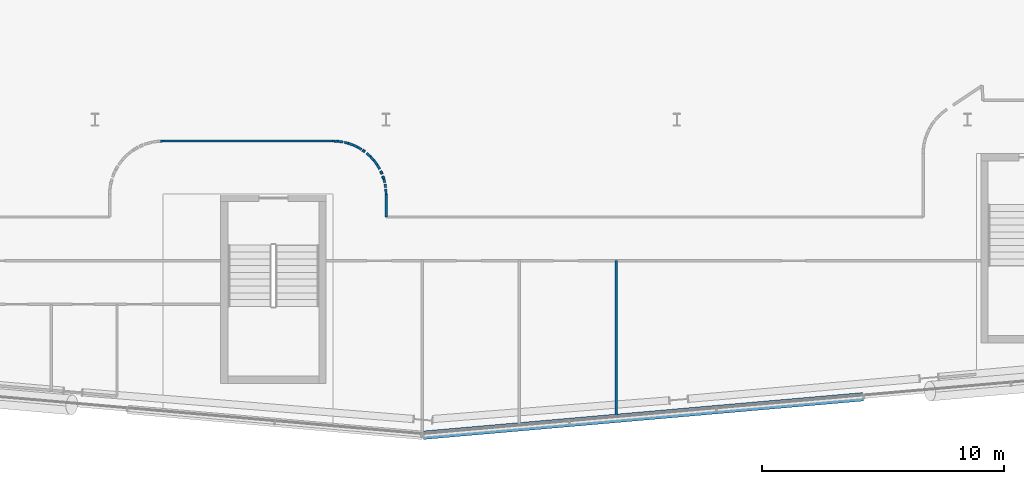
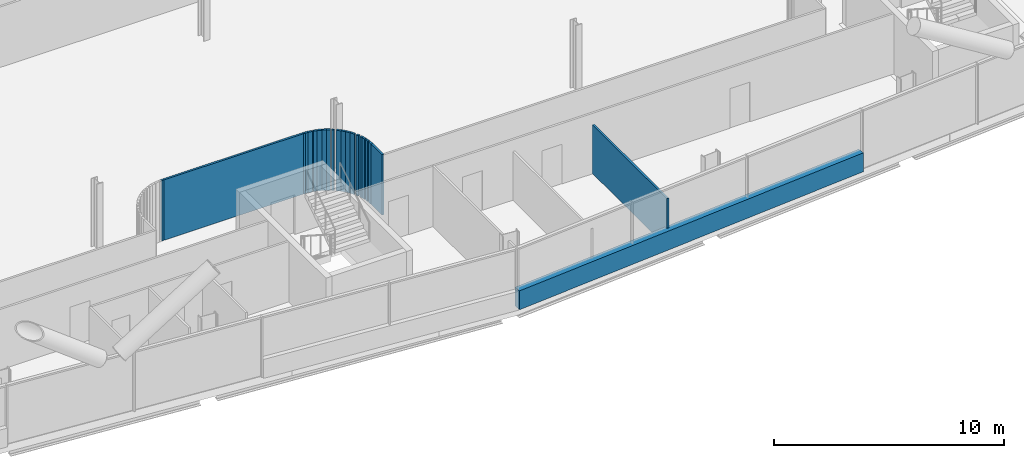
# One storey, part 16 of 31: 22 walls.
"""IFC4 building model written with IfcOpenShell, lengths in metres."""

from ifc_helpers import new_model, si_unit, direction, frame, frame_2d, origin, place, context, subcontext, project, spatial, rectangle, extrude, material, layer, layer_set, type_object, element, save


model = new_model("IFC4")

# Units and contexts
model_context = context("Model", 3, precision=1e-05, world=origin(), true_north=direction((0.0, 1.0)))
body_context = subcontext(model_context, "Body", "Model", "MODEL_VIEW")
ifc_project = project(units=[si_unit("LENGTHUNIT", "METRE"), si_unit("AREAUNIT", "SQUARE_METRE"), si_unit("VOLUMEUNIT", "CUBIC_METRE"), si_unit("PLANEANGLEUNIT", "RADIAN"), si_unit("MASSUNIT", "GRAM", prefix="KILO")], contexts=[model_context])

# Site, building, storey
site_placement = place(None, origin())
site = spatial("IfcSite", under=ifc_project, at=site_placement, CompositionType="ELEMENT")
building_placement = place(site_placement, origin())
building = spatial("IfcBuilding", under=site, at=building_placement, Name="Wharfspan Tower", CompositionType="ELEMENT")
storey_placement = place(building_placement, frame((0.0, 0.0, 103.899902)))
storey = spatial("IfcBuildingStorey", under=building, at=storey_placement, Name="L23", CompositionType="ELEMENT", Elevation=103.899902)

# Walls
ifc_material_1 = material(Name="Gypsum board on steel studs", Category="steel")
ifc_layer_1 = layer(ifc_material_1, 0.100098)
ifc_layer_set_1 = layer_set([ifc_layer_1], Name="Gypsum board on steel studs")
wall_type_1 = type_object("IfcWallType", Name="Compartment wall 100 EI 60", PredefinedType="PARTITIONING", material=ifc_layer_set_1)
wall_1_placement = place(storey_placement, frame((38.709961, 10.61499, 0.0), z_axis=(0.0, 0.0, 1.0), x_axis=(0.998687, 0.051152, 0.0)))
element("IfcWall", 1, at=wall_1_placement, inside=storey, type_object=wall_type_1, Name="Partition L23.w045", PredefinedType="PARTITIONING", context=body_context, shape_type="SweptSolid", body=[
    extrude(rectangle(XDim=0.100342, YDim=0.100098, at=frame_2d((0.050293, 0.0))), origin(), (0.0, 0.0, 1.0), 3.200195),
])
wall_2_placement = place(storey_placement, frame((38.810059, 10.620117, 0.0), z_axis=(0.0, 0.0, 1.0), x_axis=(1.0, 0.0, 0.0)))
element("IfcWall", 2, at=wall_2_placement, inside=storey, type_object=wall_type_1, Name="Partition L23.w046", PredefinedType="PARTITIONING", context=body_context, shape_type="SweptSolid", body=[
    extrude(rectangle(XDim=7.0, YDim=0.100098, at=frame_2d((3.5, 0.0))), origin(), (0.0, 0.0, 1.0), 3.200195),
])
wall_3_placement = place(storey_placement, frame((45.909912, 10.61499, 0.0), z_axis=(0.0, 0.0, 1.0), x_axis=(-0.998681, 0.051277, 0.0)))
element("IfcWall", 3, at=wall_3_placement, inside=storey, type_object=wall_type_1, Name="Partition L23.w049", PredefinedType="PARTITIONING", context=body_context, shape_type="SweptSolid", body=[
    extrude(rectangle(XDim=0.100098, YDim=0.100098, at=frame_2d((0.050049, 0.0))), origin(), (0.0, 0.0, 1.0), 3.200195),
])
wall_4_placement = place(storey_placement, frame((46.024902, 10.60498, 0.0), z_axis=(0.0, 0.0, 1.0), x_axis=(-0.996234, 0.086721, 0.0)))
element("IfcWall", 4, at=wall_4_placement, inside=storey, type_object=wall_type_1, Name="Partition L23.w050", PredefinedType="PARTITIONING", context=body_context, shape_type="SweptSolid", body=[
    extrude(rectangle(XDim=0.115479, YDim=0.100098, at=frame_2d((0.057617, 0.0))), origin(), (0.0, 0.0, 1.0), 3.200195),
])
wall_5_placement = place(storey_placement, frame((46.23999, 10.574951, 0.0), z_axis=(0.0, 0.0, 1.0), x_axis=(-0.990394, 0.138273, 0.0)))
element("IfcWall", 5, at=wall_5_placement, inside=storey, type_object=wall_type_1, Name="Partition L23.w051", PredefinedType="PARTITIONING", context=body_context, shape_type="SweptSolid", body=[
    extrude(rectangle(XDim=0.217285, YDim=0.100098, at=frame_2d((0.108643, 0.0))), origin(), (0.0, 0.0, 1.0), 3.200195),
])
wall_6_placement = place(storey_placement, frame((46.449951, 10.524902, 0.0), z_axis=(0.0, 0.0, 1.0), x_axis=(-0.971812, 0.235765, 0.0)))
element("IfcWall", 6, at=wall_6_placement, inside=storey, type_object=wall_type_1, Name="Partition L23.w052", PredefinedType="PARTITIONING", context=body_context, shape_type="SweptSolid", body=[
    extrude(rectangle(XDim=0.169922, YDim=0.100098, at=frame_2d((0.084961, 0.0))), origin(), (0.0, 0.0, 1.0), 3.200195),
])
wall_7_placement = place(storey_placement, frame((46.649902, 10.449951, 0.0), z_axis=(0.0, 0.0, 1.0), x_axis=(-0.936373, 0.350997, 0.0)))
element("IfcWall", 7, at=wall_7_placement, inside=storey, type_object=wall_type_1, Name="Partition L23.w053", PredefinedType="PARTITIONING", context=body_context, shape_type="SweptSolid", body=[
    extrude(rectangle(XDim=0.213623, YDim=0.100098, at=frame_2d((0.106934, 0.0))), origin(), (0.0, 0.0, 1.0), 3.200195),
])
wall_8_placement = place(storey_placement, frame((46.850098, 10.360107, 0.0), z_axis=(0.0, 0.0, 1.0), x_axis=(-0.908296, 0.418339, 0.0)))
element("IfcWall", 8, at=wall_8_placement, inside=storey, type_object=wall_type_1, Name="Partition L23.w054", PredefinedType="PARTITIONING", context=body_context, shape_type="SweptSolid", body=[
    extrude(rectangle(XDim=0.214844, YDim=0.100098, at=frame_2d((0.107422, 0.0))), origin(), (0.0, 0.0, 1.0), 3.200195),
])
wall_9_placement = place(storey_placement, frame((46.995117, 10.27002, 0.0), z_axis=(0.0, 0.0, 1.0), x_axis=(-0.849441, 0.527683, 0.0)))
element("IfcWall", 9, at=wall_9_placement, inside=storey, type_object=wall_type_1, Name="Partition L23.w055", PredefinedType="PARTITIONING", context=body_context, shape_type="SweptSolid", body=[
    extrude(rectangle(XDim=0.170654, YDim=0.100098, at=frame_2d((0.085449, 0.0))), origin(), (0.0, 0.0, 1.0), 3.200195),
])
wall_10_placement = place(storey_placement, frame((47.129883, 10.175049, 0.0), z_axis=(0.0, 0.0, 1.0), x_axis=(-0.804696, 0.593696, 0.0)))
element("IfcWall", 10, at=wall_10_placement, inside=storey, type_object=wall_type_1, Name="Partition L23.w056", PredefinedType="PARTITIONING", context=body_context, shape_type="SweptSolid", body=[
    extrude(rectangle(XDim=0.11792, YDim=0.100098, at=frame_2d((0.059082, 0.0))), origin(), (0.0, 0.0, 1.0), 3.200195),
])
wall_11_placement = place(storey_placement, frame((47.36499, 9.975098, 0.0), z_axis=(0.0, 0.0, 1.0), x_axis=(-0.740762, 0.671775, 0.0)))
element("IfcWall", 11, at=wall_11_placement, inside=storey, type_object=wall_type_1, Name="Partition L23.w057", PredefinedType="PARTITIONING", context=body_context, shape_type="SweptSolid", body=[
    extrude(rectangle(XDim=0.21582, YDim=0.100098, at=frame_2d((0.10791, 0.0))), origin(), (0.0, 0.0, 1.0), 3.200195),
])
wall_12_placement = place(storey_placement, frame((47.51001, 9.814941, 0.0), z_axis=(0.0, 0.0, 1.0), x_axis=(-0.67121, 0.741269, 0.0)))
element("IfcWall", 12, at=wall_12_placement, inside=storey, type_object=wall_type_1, Name="Partition L23.w059", PredefinedType="PARTITIONING", context=body_context, shape_type="SweptSolid", body=[
    extrude(rectangle(XDim=0.216064, YDim=0.100098, at=frame_2d((0.10791, 0.0))), origin(), (0.0, 0.0, 1.0), 3.200195),
])
wall_13_placement = place(storey_placement, frame((47.639893, 9.639893, 0.0), z_axis=(0.0, 0.0, 1.0), x_axis=(-0.595869, 0.803079, 0.0)))
element("IfcWall", 13, at=wall_13_placement, inside=storey, type_object=wall_type_1, Name="Partition L23.w060", PredefinedType="PARTITIONING", context=body_context, shape_type="SweptSolid", body=[
    extrude(rectangle(XDim=0.218018, YDim=0.100098, at=frame_2d((0.108887, 0.0))), origin(), (0.0, 0.0, 1.0), 3.200195),
])
wall_14_placement = place(storey_placement, frame((47.75, 9.455078, 0.0), z_axis=(0.0, 0.0, 1.0), x_axis=(-0.511823, 0.859091, 0.0)))
element("IfcWall", 14, at=wall_14_placement, inside=storey, type_object=wall_type_1, Name="Partition L23.w061", PredefinedType="PARTITIONING", context=body_context, shape_type="SweptSolid", body=[
    extrude(rectangle(XDim=0.215088, YDim=0.100098, at=frame_2d((0.107422, 0.0))), origin(), (0.0, 0.0, 1.0), 3.200195),
])
wall_15_placement = place(storey_placement, frame((47.844971, 9.26001, 0.0), z_axis=(0.0, 0.0, 1.0), x_axis=(-0.431047, 0.902325, 0.0)))
element("IfcWall", 15, at=wall_15_placement, inside=storey, type_object=wall_type_1, Name="Partition L23.w062", PredefinedType="PARTITIONING", context=body_context, shape_type="SweptSolid", body=[
    extrude(rectangle(XDim=0.127441, YDim=0.100098, at=frame_2d((0.063721, 0.0))), origin(), (0.0, 0.0, 1.0), 3.200195),
])
wall_16_placement = place(storey_placement, frame((47.915039, 9.054932, 0.0), z_axis=(0.0, 0.0, 1.0), x_axis=(-0.341744, 0.939796, 0.0)))
element("IfcWall", 16, at=wall_16_placement, inside=storey, type_object=wall_type_1, Name="Partition L23.w063", PredefinedType="PARTITIONING", context=body_context, shape_type="SweptSolid", body=[
    extrude(rectangle(XDim=0.117188, YDim=0.100098, at=frame_2d((0.058594, 0.0))), origin(), (0.0, 0.0, 1.0), 3.200195),
])
wall_17_placement = place(storey_placement, frame((47.955078, 8.905029, 0.0), z_axis=(0.0, 0.0, 1.0), x_axis=(-0.258054, 0.966129, 0.0)))
element("IfcWall", 17, at=wall_17_placement, inside=storey, type_object=wall_type_1, Name="Partition L23.w064", PredefinedType="PARTITIONING", context=body_context, shape_type="SweptSolid", body=[
    extrude(rectangle(XDim=0.155273, YDim=0.100098, at=frame_2d((0.077637, 0.0))), origin(), (0.0, 0.0, 1.0), 3.200195),
])
wall_18_placement = place(storey_placement, frame((47.98999, 8.695068, 0.0), z_axis=(0.0, 0.0, 1.0), x_axis=(-0.132375, 0.991198, 0.0)))
element("IfcWall", 18, at=wall_18_placement, inside=storey, type_object=wall_type_1, Name="Partition L23.w065", PredefinedType="PARTITIONING", context=body_context, shape_type="SweptSolid", body=[
    extrude(rectangle(XDim=0.151123, YDim=0.100098, at=frame_2d((0.075684, 0.0))), origin(), (0.0, 0.0, 1.0), 3.200195),
])
wall_19_placement = place(storey_placement, frame((48.01001, 7.485107, 0.0), z_axis=(0.0, 0.0, 1.0), x_axis=(0.0, 1.0, 0.0)))
element("IfcWall", 19, at=wall_19_placement, inside=storey, type_object=wall_type_1, Name="Partition L23.w066", PredefinedType="PARTITIONING", context=body_context, shape_type="SweptSolid", body=[
    extrude(rectangle(XDim=0.929932, YDim=0.100098, at=frame_2d((0.464844, 0.0))), origin(), (0.0, 0.0, 1.0), 3.200195),
])
wall_20_placement = place(storey_placement, frame((48.01001, 8.415039, 0.0), z_axis=(0.0, 0.0, 1.0), x_axis=(-0.045458, 0.998967, 0.0)))
element("IfcWall", 20, at=wall_20_placement, inside=storey, type_object=wall_type_1, Name="Partition L23.w068", PredefinedType="PARTITIONING", context=body_context, shape_type="SweptSolid", body=[
    extrude(rectangle(XDim=0.220215, YDim=0.100098, at=frame_2d((0.110107, 0.0))), origin(), (0.0, 0.0, 1.0), 3.200195),
])
wall_21_placement = place(storey_placement, frame((57.5, -0.79834, 0.0), z_axis=(0.0, 0.0, 1.0), x_axis=(0.0, 1.0, 0.0)))
element("IfcWall", 21, at=wall_21_placement, inside=storey, type_object=wall_type_1, Name="Partition L23.w073", PredefinedType="PARTITIONING", context=body_context, shape_type="SweptSolid", body=[
    extrude(rectangle(XDim=6.478271, YDim=0.100098, at=frame_2d((3.239258, 0.0))), origin(), (0.0, 0.0, 1.0), 2.580078),
])
ifc_material_2 = material(Name="Concrete C40/50", Category="concrete")
ifc_layer_2 = layer(ifc_material_2, 0.350098)
ifc_layer_set_2 = layer_set([ifc_layer_2], Name="Concrete C40/50")
wall_type_2 = type_object("IfcWallType", Name="SPANDREL EXPOSED CONCRETE 350", PredefinedType="SOLIDWALL", material=ifc_layer_set_2)
wall_22_placement = place(storey_placement, frame((49.54541, -1.519287, 0.0), z_axis=(0.0, 0.0, 1.0), x_axis=(0.996191, 0.087151, 0.0)))
element("IfcWall", 22, at=wall_22_placement, inside=storey, type_object=wall_type_2, Name="Spandrel upstand L23 S2 1", PredefinedType="SOLIDWALL", context=body_context, shape_type="SweptSolid", body=[
    extrude(rectangle(XDim=18.20874, YDim=0.350098, at=frame_2d((9.104492, 0.0))), origin(), (0.0, 0.0, 1.0), 1.0),
])

save(model, "model.ifc")
